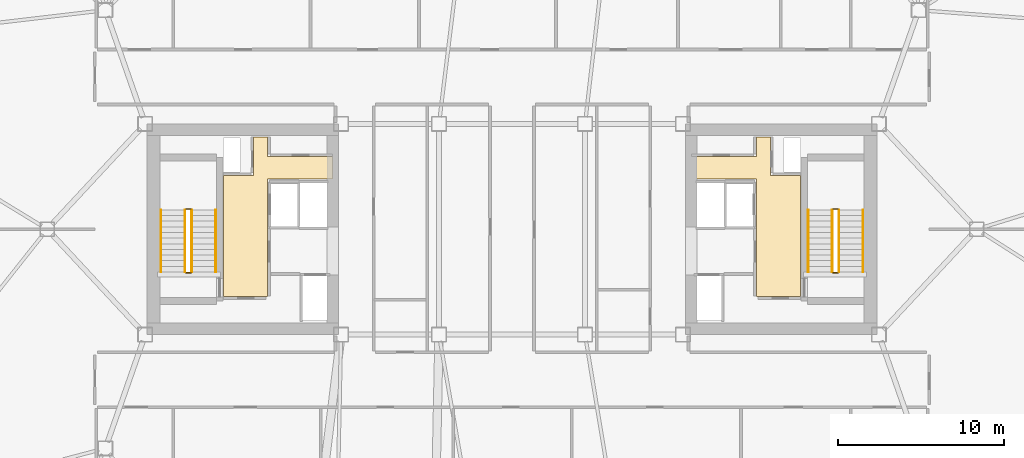
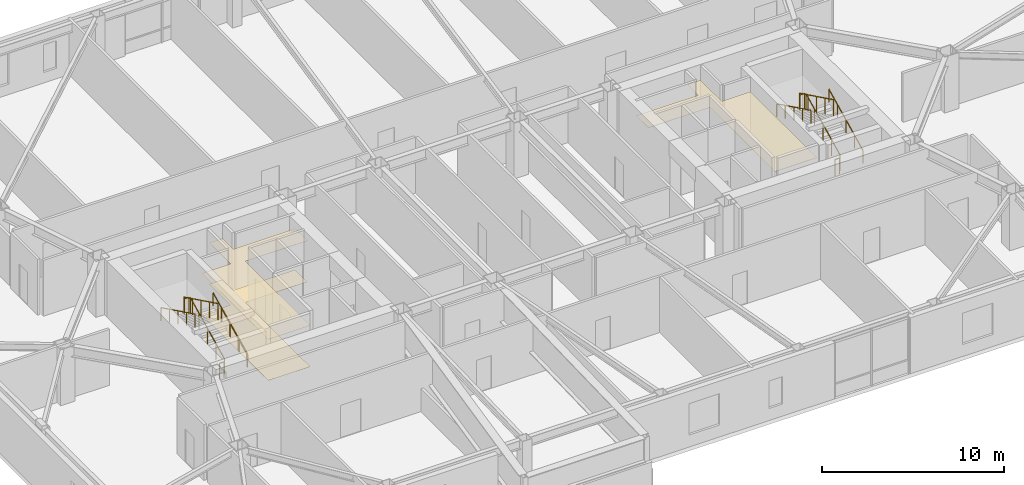
# One storey, part 17 of 17: 12 railings, 3 coverings.
"""IFC4 building model written with IfcOpenShell, lengths in metres."""

from ifc_helpers import new_model, si_unit, direction, frame, origin, origin_2d, place, context, subcontext, project, spatial, polyline, rectangle, outline, extrude, material, layer, layer_set, type_object, element, save


model = new_model("IFC4")

# Units and contexts
model_context = context("Model", 3, precision=1e-05, world=origin(), true_north=direction((0.0, 1.0)))
body_context = subcontext(model_context, "Body", "Model", "MODEL_VIEW")
ifc_project = project(units=[si_unit("LENGTHUNIT", "METRE"), si_unit("AREAUNIT", "SQUARE_METRE"), si_unit("VOLUMEUNIT", "CUBIC_METRE"), si_unit("PLANEANGLEUNIT", "RADIAN"), si_unit("MASSUNIT", "GRAM", prefix="KILO")], contexts=[model_context])

# Site, building, storey
site_placement = place(None, origin())
site = spatial("IfcSite", under=ifc_project, at=site_placement, CompositionType="ELEMENT")
building_placement = place(site_placement, origin())
building = spatial("IfcBuilding", under=site, at=building_placement, Name="Tavrogorsk Clinical Tower", CompositionType="ELEMENT")
storey_placement = place(building_placement, frame((0.0, 0.0, 160.199951171875)))
storey = spatial("IfcBuildingStorey", under=building, at=storey_placement, Name="L36", CompositionType="ELEMENT", Elevation=160.199951171875)

# Coverings
ifc_material_1 = material(Name="Antibacterial micro-perforated aluminium ceiling", Category="aluminium")
ifc_layer_1 = layer(ifc_material_1, 0.014892578125)
ifc_layer_set_1 = layer_set([ifc_layer_1], Name="Antibacterial micro-perforated aluminium ceiling")
covering_type_1 = type_object("IfcCoveringType", Name="ClinicalCeiling_15", PredefinedType="CEILING", material=ifc_layer_set_1)
covering_1_placement = place(storey_placement, frame((0.0, 0.0, 2.75)))
element("IfcCovering", 1, at=covering_1_placement, inside=storey, type_object=covering_type_1, Name="Core West Firefighting Lift Lobby Acoustic Ceiling", PredefinedType="CEILING", context=body_context, shape_type="SweptSolid", body=[
    extrude(outline(polyline([(-14.719970703125, 4.3798828125), (-10.800048828125, 4.3798828125), (-10.800048828125, 3.0400390625), (-14.719970703125, 3.0400390625), (-14.719970703125, -4.06005859375), (-17.3798828125, -4.06005859375), (-17.3798828125, 3.239990234375), (-15.56005859375, 3.239990234375), (-15.56005859375, 5.56005859375), (-14.719970703125, 5.56005859375), (-14.719970703125, 4.3798828125)])), origin(), (0.0, 0.0, 1.0), 0.01513671875),
])
covering_2_placement = place(storey_placement, frame((0.0, 0.0, 2.75)))
element("IfcCovering", 2, at=covering_2_placement, inside=storey, type_object=covering_type_1, Name="Core East Firefighting Lift Lobby Acoustic Ceiling", PredefinedType="CEILING", context=body_context, shape_type="SweptSolid", body=[
    extrude(outline(polyline([(14.719970703125, -4.06005859375), (14.719970703125, 3.0400390625), (10.800048828125, 3.0400390625), (10.800048828125, 4.3798828125), (14.719970703125, 4.3798828125), (14.719970703125, 5.56005859375), (15.56005859375, 5.56005859375), (15.56005859375, 3.239990234375), (17.3798828125, 3.239990234375), (17.3798828125, -4.06005859375), (14.719970703125, -4.06005859375)])), origin(), (0.0, 0.0, 1.0), 0.01513671875),
])
ifc_material_2 = material(Name="Homogeneous medical conductive PVC flooring")
ifc_layer_2 = layer(ifc_material_2, 0.008056640625)
ifc_layer_set_2 = layer_set([ifc_layer_2], Name="Homogeneous medical conductive PVC flooring")
covering_type_2 = type_object("IfcCoveringType", Name="ResilientVinylFloor_8", PredefinedType="FLOORING", material=ifc_layer_set_2)
covering_3_placement = place(storey_placement, origin())
element("IfcCovering", 3, at=covering_3_placement, inside=storey, type_object=covering_type_2, Name="Core West Firefighting Lift Lobby Conductive Vinyl Flooring", PredefinedType="FLOORING", context=body_context, shape_type="SweptSolid", body=[
    extrude(outline(polyline([(-14.719970703125, 4.3798828125), (-10.800048828125, 4.3798828125), (-10.800048828125, 3.0400390625), (-14.719970703125, 3.0400390625), (-14.719970703125, -4.06005859375), (-17.3798828125, -4.06005859375), (-17.3798828125, 3.239990234375), (-15.56005859375, 3.239990234375), (-15.56005859375, 5.56005859375), (-14.719970703125, 5.56005859375), (-14.719970703125, 4.3798828125)])), origin(), (0.0, 0.0, 1.0), 0.008056640625),
])

# Railings
ifc_material_3 = material(Name="Galvanised steel S355 safety stairwell guard", Category="steel")
ifc_layer_3 = layer(ifc_material_3, 0.06005859375)
ifc_layer_set_3 = layer_set([ifc_layer_3], Name="Galvanised steel S355 safety stairwell guard")
railing_type_1 = type_object("IfcRailingType", Name="StairGuard_1150", PredefinedType="GUARDRAIL", material=ifc_layer_set_3)
railing_1_placement = place(storey_placement, frame((-19.300048828125, -2.574951171875, 0.166748046875)))
element("IfcRailing", 4, at=railing_1_placement, inside=storey, type_object=railing_type_1, Name="L36 ST-W stair guard 1", PredefinedType="GUARDRAIL", context=body_context, shape_type="SweptSolid", body=[
    extrude(rectangle(XDim=0.048095703125, YDim=0.048095703125, at=origin_2d()), frame((0.0, 0.0, 1.076171875), z_axis=(0.0, 0.897927990467, 0.440142390523), x_axis=(-1.0, 0.0, 0.0)), (0.0, 0.0, 1.0), 4.1650390625),
    extrude(rectangle(XDim=0.0419921875, YDim=0.0419921875, at=origin_2d()), origin(), (0.0, 0.0, 1.0), 1.052001953125),
    extrude(rectangle(XDim=0.0419921875, YDim=0.0419921875, at=origin_2d()), frame((0.0, 0.93505859375, 0.458251953125)), (0.0, 0.0, 1.0), 1.052001953125),
    extrude(rectangle(XDim=0.0419921875, YDim=0.0419921875, at=origin_2d()), frame((0.0, 1.8701171875, 0.91650390625)), (0.0, 0.0, 1.0), 1.052001953125),
    extrude(rectangle(XDim=0.0419921875, YDim=0.0419921875, at=origin_2d()), frame((0.0, 2.804931640625, 1.375)), (0.0, 0.0, 1.0), 1.052001953125),
    extrude(rectangle(XDim=0.0419921875, YDim=0.0419921875, at=origin_2d()), frame((0.0, 3.739990234375, 1.833251953125)), (0.0, 0.0, 1.0), 1.052001953125),
])
railing_2_placement = place(storey_placement, frame((-19.35009765625, 1.215087890625, 2.0)))
element("IfcRailing", 5, at=railing_2_placement, inside=storey, type_object=railing_type_1, Name="L36 ST-W stair guard 2", PredefinedType="GUARDRAIL", context=body_context, shape_type="SweptSolid", body=[
    extrude(rectangle(XDim=0.048095703125, YDim=0.048095703125, at=origin_2d()), frame((0.0, 0.0, 1.076171875), z_axis=(-1.0, 0.0, 0.0), x_axis=(0.0, -1.0, 0.0)), (0.0, 0.0, 1.0), 0.2998046875),
    extrude(rectangle(XDim=0.0419921875, YDim=0.0419921875, at=origin_2d()), origin(), (0.0, 0.0, 1.0), 1.052001953125),
    extrude(rectangle(XDim=0.0419921875, YDim=0.0419921875, at=origin_2d()), frame((-0.2998046875, 0.0, 0.0)), (0.0, 0.0, 1.0), 1.052001953125),
])
railing_3_placement = place(storey_placement, frame((-19.699951171875, 1.1650390625, 2.166748046875)))
element("IfcRailing", 6, at=railing_3_placement, inside=storey, type_object=railing_type_1, Name="L36 ST-W stair guard 3", PredefinedType="GUARDRAIL", context=body_context, shape_type="SweptSolid", body=[
    extrude(rectangle(XDim=0.048095703125, YDim=0.048095703125, at=origin_2d()), frame((0.0, 0.0, 1.076171875), z_axis=(0.0, -0.897927990467, 0.440142390523), x_axis=(1.0, 0.0, 0.0)), (0.0, 0.0, 1.0), 4.1650390625),
    extrude(rectangle(XDim=0.0419921875, YDim=0.0419921875, at=origin_2d()), origin(), (0.0, 0.0, 1.0), 1.052001953125),
    extrude(rectangle(XDim=0.0419921875, YDim=0.0419921875, at=origin_2d()), frame((0.0, -0.93505859375, 0.458251953125)), (0.0, 0.0, 1.0), 1.052001953125),
    extrude(rectangle(XDim=0.0419921875, YDim=0.0419921875, at=origin_2d()), frame((0.0, -1.8701171875, 0.91650390625)), (0.0, 0.0, 1.0), 1.052001953125),
    extrude(rectangle(XDim=0.0419921875, YDim=0.0419921875, at=origin_2d()), frame((0.0, -2.804931640625, 1.375)), (0.0, 0.0, 1.0), 1.052001953125),
    extrude(rectangle(XDim=0.0419921875, YDim=0.0419921875, at=origin_2d()), frame((0.0, -3.739990234375, 1.833251953125)), (0.0, 0.0, 1.0), 1.052001953125),
])
railing_4_placement = place(storey_placement, frame((-19.35009765625, -2.625, 0.0)))
element("IfcRailing", 7, at=railing_4_placement, inside=storey, type_object=railing_type_1, Name="L36 ST-W stair guard 4", PredefinedType="GUARDRAIL", context=body_context, shape_type="SweptSolid", body=[
    extrude(rectangle(XDim=0.048095703125, YDim=0.048095703125, at=origin_2d()), frame((0.0, 0.0, 1.076171875), z_axis=(-1.0, 0.0, 0.0), x_axis=(0.0, -1.0, 0.0)), (0.0, 0.0, 1.0), 0.2998046875),
    extrude(rectangle(XDim=0.0419921875, YDim=0.0419921875, at=origin_2d()), origin(), (0.0, 0.0, 1.0), 1.052001953125),
    extrude(rectangle(XDim=0.0419921875, YDim=0.0419921875, at=origin_2d()), frame((-0.2998046875, 0.0, 0.0)), (0.0, 0.0, 1.0), 1.052001953125),
])
railing_5_placement = place(storey_placement, frame((19.699951171875, -2.574951171875, 0.166748046875)))
element("IfcRailing", 8, at=railing_5_placement, inside=storey, type_object=railing_type_1, Name="L36 ST-E stair guard 1", PredefinedType="GUARDRAIL", context=body_context, shape_type="SweptSolid", body=[
    extrude(rectangle(XDim=0.048095703125, YDim=0.048095703125, at=origin_2d()), frame((0.0, 0.0, 1.076171875), z_axis=(0.0, 0.897927990467, 0.440142390523), x_axis=(-1.0, 0.0, 0.0)), (0.0, 0.0, 1.0), 4.1650390625),
    extrude(rectangle(XDim=0.0419921875, YDim=0.0419921875, at=origin_2d()), origin(), (0.0, 0.0, 1.0), 1.052001953125),
    extrude(rectangle(XDim=0.0419921875, YDim=0.0419921875, at=origin_2d()), frame((0.0, 0.93505859375, 0.458251953125)), (0.0, 0.0, 1.0), 1.052001953125),
    extrude(rectangle(XDim=0.0419921875, YDim=0.0419921875, at=origin_2d()), frame((0.0, 1.8701171875, 0.91650390625)), (0.0, 0.0, 1.0), 1.052001953125),
    extrude(rectangle(XDim=0.0419921875, YDim=0.0419921875, at=origin_2d()), frame((0.0, 2.804931640625, 1.375)), (0.0, 0.0, 1.0), 1.052001953125),
    extrude(rectangle(XDim=0.0419921875, YDim=0.0419921875, at=origin_2d()), frame((0.0, 3.739990234375, 1.833251953125)), (0.0, 0.0, 1.0), 1.052001953125),
])
railing_6_placement = place(storey_placement, frame((19.64990234375, 1.215087890625, 2.0)))
element("IfcRailing", 9, at=railing_6_placement, inside=storey, type_object=railing_type_1, Name="L36 ST-E stair guard 2", PredefinedType="GUARDRAIL", context=body_context, shape_type="SweptSolid", body=[
    extrude(rectangle(XDim=0.048095703125, YDim=0.048095703125, at=origin_2d()), frame((0.0, 0.0, 1.076171875), z_axis=(-1.0, 0.0, 0.0), x_axis=(0.0, -1.0, 0.0)), (0.0, 0.0, 1.0), 0.2998046875),
    extrude(rectangle(XDim=0.0419921875, YDim=0.0419921875, at=origin_2d()), origin(), (0.0, 0.0, 1.0), 1.052001953125),
    extrude(rectangle(XDim=0.0419921875, YDim=0.0419921875, at=origin_2d()), frame((-0.2998046875, 0.0, 0.0)), (0.0, 0.0, 1.0), 1.052001953125),
])
railing_7_placement = place(storey_placement, frame((19.300048828125, 1.1650390625, 2.166748046875)))
element("IfcRailing", 10, at=railing_7_placement, inside=storey, type_object=railing_type_1, Name="L36 ST-E stair guard 3", PredefinedType="GUARDRAIL", context=body_context, shape_type="SweptSolid", body=[
    extrude(rectangle(XDim=0.048095703125, YDim=0.048095703125, at=origin_2d()), frame((0.0, 0.0, 1.076171875), z_axis=(0.0, -0.897927990467, 0.440142390523), x_axis=(1.0, 0.0, 0.0)), (0.0, 0.0, 1.0), 4.1650390625),
    extrude(rectangle(XDim=0.0419921875, YDim=0.0419921875, at=origin_2d()), origin(), (0.0, 0.0, 1.0), 1.052001953125),
    extrude(rectangle(XDim=0.0419921875, YDim=0.0419921875, at=origin_2d()), frame((0.0, -0.93505859375, 0.458251953125)), (0.0, 0.0, 1.0), 1.052001953125),
    extrude(rectangle(XDim=0.0419921875, YDim=0.0419921875, at=origin_2d()), frame((0.0, -1.8701171875, 0.91650390625)), (0.0, 0.0, 1.0), 1.052001953125),
    extrude(rectangle(XDim=0.0419921875, YDim=0.0419921875, at=origin_2d()), frame((0.0, -2.804931640625, 1.375)), (0.0, 0.0, 1.0), 1.052001953125),
    extrude(rectangle(XDim=0.0419921875, YDim=0.0419921875, at=origin_2d()), frame((0.0, -3.739990234375, 1.833251953125)), (0.0, 0.0, 1.0), 1.052001953125),
])
railing_8_placement = place(storey_placement, frame((19.64990234375, -2.625, 0.0)))
element("IfcRailing", 11, at=railing_8_placement, inside=storey, type_object=railing_type_1, Name="L36 ST-E stair guard 4", PredefinedType="GUARDRAIL", context=body_context, shape_type="SweptSolid", body=[
    extrude(rectangle(XDim=0.048095703125, YDim=0.048095703125, at=origin_2d()), frame((0.0, 0.0, 1.076171875), z_axis=(-1.0, 0.0, 0.0), x_axis=(0.0, -1.0, 0.0)), (0.0, 0.0, 1.0), 0.2998046875),
    extrude(rectangle(XDim=0.0419921875, YDim=0.0419921875, at=origin_2d()), origin(), (0.0, 0.0, 1.0), 1.052001953125),
    extrude(rectangle(XDim=0.0419921875, YDim=0.0419921875, at=origin_2d()), frame((-0.2998046875, 0.0, 0.0)), (0.0, 0.0, 1.0), 1.052001953125),
])
ifc_material_4 = material(Name="Stainless steel AISI 304 tubular handrail", Category="steel")
ifc_layer_4 = layer(ifc_material_4, 0.050048828125)
ifc_layer_set_4 = layer_set([ifc_layer_4], Name="Stainless steel AISI 304 tubular handrail")
railing_type_2 = type_object("IfcRailingType", Name="StairHandrail_920", PredefinedType="HANDRAIL", material=ifc_layer_set_4)
railing_9_placement = place(storey_placement, frame((-17.85009765625, -2.574951171875, 0.166748046875)))
element("IfcRailing", 12, at=railing_9_placement, inside=storey, type_object=railing_type_2, Name="L36 ST-W stair handrail 1", PredefinedType="HANDRAIL", context=body_context, shape_type="SweptSolid", body=[
    extrude(rectangle(XDim=0.048095703125, YDim=0.048095703125, at=origin_2d()), frame((0.0, 0.0, 0.8759765625), z_axis=(0.0, 0.897927990467, 0.440142390523), x_axis=(-1.0, 0.0, 0.0)), (0.0, 0.0, 1.0), 4.1650390625),
    extrude(rectangle(XDim=0.0419921875, YDim=0.0419921875, at=origin_2d()), origin(), (0.0, 0.0, 1.0), 0.851806640625),
    extrude(rectangle(XDim=0.0419921875, YDim=0.0419921875, at=origin_2d()), frame((0.0, 0.93505859375, 0.458251953125)), (0.0, 0.0, 1.0), 0.851806640625),
    extrude(rectangle(XDim=0.0419921875, YDim=0.0419921875, at=origin_2d()), frame((0.0, 1.8701171875, 0.91650390625)), (0.0, 0.0, 1.0), 0.851806640625),
    extrude(rectangle(XDim=0.0419921875, YDim=0.0419921875, at=origin_2d()), frame((0.0, 2.804931640625, 1.375)), (0.0, 0.0, 1.0), 0.851806640625),
    extrude(rectangle(XDim=0.0419921875, YDim=0.0419921875, at=origin_2d()), frame((0.0, 3.739990234375, 1.833251953125)), (0.0, 0.0, 1.0), 0.851806640625),
])
railing_10_placement = place(storey_placement, frame((-21.14990234375, 1.1650390625, 2.166748046875)))
element("IfcRailing", 13, at=railing_10_placement, inside=storey, type_object=railing_type_2, Name="L36 ST-W stair handrail 2", PredefinedType="HANDRAIL", context=body_context, shape_type="SweptSolid", body=[
    extrude(rectangle(XDim=0.048095703125, YDim=0.048095703125, at=origin_2d()), frame((0.0, 0.0, 0.8759765625), z_axis=(0.0, -0.897927990467, 0.440142390523), x_axis=(1.0, 0.0, 0.0)), (0.0, 0.0, 1.0), 4.1650390625),
    extrude(rectangle(XDim=0.0419921875, YDim=0.0419921875, at=origin_2d()), origin(), (0.0, 0.0, 1.0), 0.851806640625),
    extrude(rectangle(XDim=0.0419921875, YDim=0.0419921875, at=origin_2d()), frame((0.0, -0.93505859375, 0.458251953125)), (0.0, 0.0, 1.0), 0.851806640625),
    extrude(rectangle(XDim=0.0419921875, YDim=0.0419921875, at=origin_2d()), frame((0.0, -1.8701171875, 0.91650390625)), (0.0, 0.0, 1.0), 0.851806640625),
    extrude(rectangle(XDim=0.0419921875, YDim=0.0419921875, at=origin_2d()), frame((0.0, -2.804931640625, 1.375)), (0.0, 0.0, 1.0), 0.851806640625),
    extrude(rectangle(XDim=0.0419921875, YDim=0.0419921875, at=origin_2d()), frame((0.0, -3.739990234375, 1.833251953125)), (0.0, 0.0, 1.0), 0.851806640625),
])
railing_11_placement = place(storey_placement, frame((21.14990234375, -2.574951171875, 0.166748046875)))
element("IfcRailing", 14, at=railing_11_placement, inside=storey, type_object=railing_type_2, Name="L36 ST-E stair handrail 1", PredefinedType="HANDRAIL", context=body_context, shape_type="SweptSolid", body=[
    extrude(rectangle(XDim=0.048095703125, YDim=0.048095703125, at=origin_2d()), frame((0.0, 0.0, 0.8759765625), z_axis=(0.0, 0.897927990467, 0.440142390523), x_axis=(-1.0, 0.0, 0.0)), (0.0, 0.0, 1.0), 4.1650390625),
    extrude(rectangle(XDim=0.0419921875, YDim=0.0419921875, at=origin_2d()), origin(), (0.0, 0.0, 1.0), 0.851806640625),
    extrude(rectangle(XDim=0.0419921875, YDim=0.0419921875, at=origin_2d()), frame((0.0, 0.93505859375, 0.458251953125)), (0.0, 0.0, 1.0), 0.851806640625),
    extrude(rectangle(XDim=0.0419921875, YDim=0.0419921875, at=origin_2d()), frame((0.0, 1.8701171875, 0.91650390625)), (0.0, 0.0, 1.0), 0.851806640625),
    extrude(rectangle(XDim=0.0419921875, YDim=0.0419921875, at=origin_2d()), frame((0.0, 2.804931640625, 1.375)), (0.0, 0.0, 1.0), 0.851806640625),
    extrude(rectangle(XDim=0.0419921875, YDim=0.0419921875, at=origin_2d()), frame((0.0, 3.739990234375, 1.833251953125)), (0.0, 0.0, 1.0), 0.851806640625),
])
railing_12_placement = place(storey_placement, frame((17.85009765625, 1.1650390625, 2.166748046875)))
element("IfcRailing", 15, at=railing_12_placement, inside=storey, type_object=railing_type_2, Name="L36 ST-E stair handrail 2", PredefinedType="HANDRAIL", context=body_context, shape_type="SweptSolid", body=[
    extrude(rectangle(XDim=0.048095703125, YDim=0.048095703125, at=origin_2d()), frame((0.0, 0.0, 0.8759765625), z_axis=(0.0, -0.897927990467, 0.440142390523), x_axis=(1.0, 0.0, 0.0)), (0.0, 0.0, 1.0), 4.1650390625),
    extrude(rectangle(XDim=0.0419921875, YDim=0.0419921875, at=origin_2d()), origin(), (0.0, 0.0, 1.0), 0.851806640625),
    extrude(rectangle(XDim=0.0419921875, YDim=0.0419921875, at=origin_2d()), frame((0.0, -0.93505859375, 0.458251953125)), (0.0, 0.0, 1.0), 0.851806640625),
    extrude(rectangle(XDim=0.0419921875, YDim=0.0419921875, at=origin_2d()), frame((0.0, -1.8701171875, 0.91650390625)), (0.0, 0.0, 1.0), 0.851806640625),
    extrude(rectangle(XDim=0.0419921875, YDim=0.0419921875, at=origin_2d()), frame((0.0, -2.804931640625, 1.375)), (0.0, 0.0, 1.0), 0.851806640625),
    extrude(rectangle(XDim=0.0419921875, YDim=0.0419921875, at=origin_2d()), frame((0.0, -3.739990234375, 1.833251953125)), (0.0, 0.0, 1.0), 0.851806640625),
])

save(model, "model.ifc")
